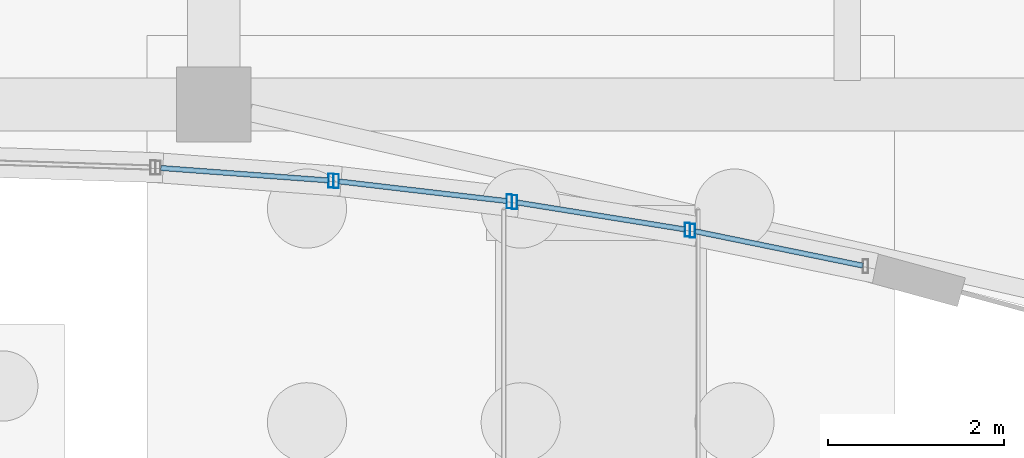
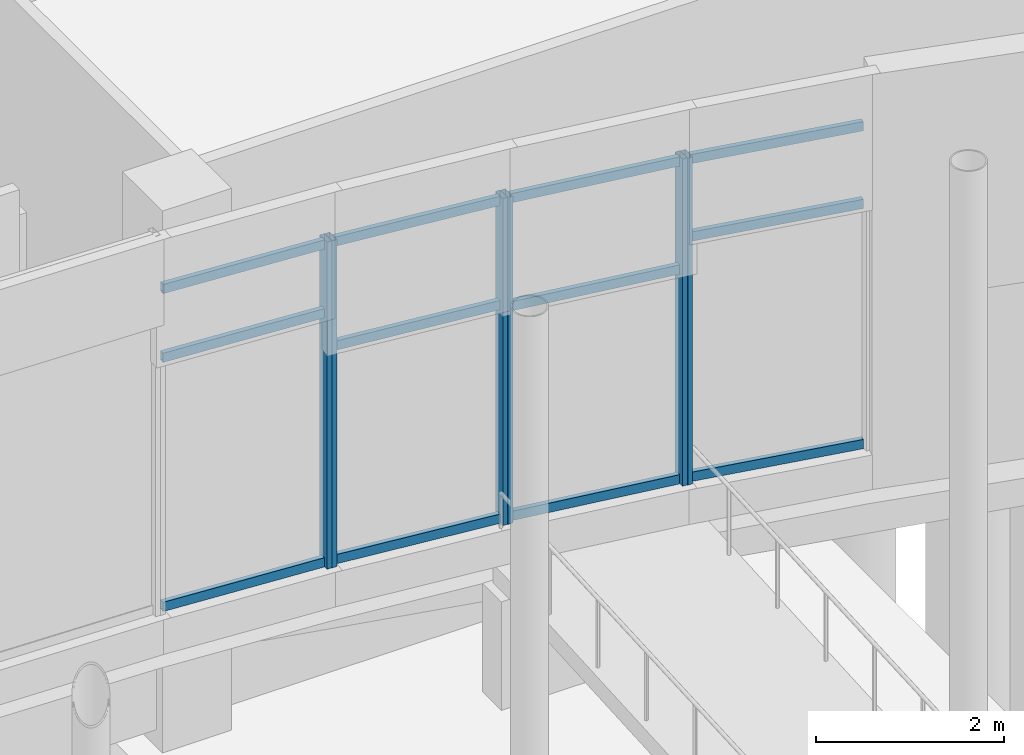
# One storey, part 51 of 192: 18 members, 4 elements without a shape of their own.
"""IFC4 building model written with IfcOpenShell, lengths in metres."""

from ifc_helpers import new_model, si_unit, direction, frame, origin, origin_2d, place, context, subcontext, project, spatial, hollow_rectangle, extrude, material, material_profile, profile_set, type_object, element, aggregate, save


model = new_model("IFC4")

# Units and contexts
model_context = context("Model", 3, precision=1e-05, world=origin(), true_north=direction((0.0, 1.0)))
body_context = subcontext(model_context, "Body", "Model", "MODEL_VIEW")
ifc_project = project(units=[si_unit("LENGTHUNIT", "METRE"), si_unit("AREAUNIT", "SQUARE_METRE"), si_unit("VOLUMEUNIT", "CUBIC_METRE"), si_unit("PLANEANGLEUNIT", "RADIAN"), si_unit("MASSUNIT", "GRAM", prefix="KILO")], contexts=[model_context])

# Site, building, storey
site_placement = place(None, origin())
site = spatial("IfcSite", under=ifc_project, at=site_placement, CompositionType="ELEMENT")
building_placement = place(site_placement, origin())
building = spatial("IfcBuilding", under=site, at=building_placement, Name="Cendralis Lancet Convention Centre", CompositionType="ELEMENT")
storey_placement = place(building_placement, origin())
storey = spatial("IfcBuildingStorey", under=building, at=storey_placement, Name="L00", CompositionType="ELEMENT", Elevation=0.0)

# Curtain wall, member
ifc_material = material(Name="Anodised bronze architectural aluminium", Category="aluminium")
curtain_wall_type = type_object("IfcCurtainWallType", Name="ARC-CW-WF01", PredefinedType="USERDEFINED", material=ifc_material)
curtain_wall_1_placement = place(storey_placement, origin())
curtain_wall_1 = element("IfcCurtainWall", 1, at=curtain_wall_1_placement, inside=storey, type_object=curtain_wall_type, Name="L00 Curtain Wall CW-WF1 #046", ObjectType="CURTAIN WALL", PredefinedType="USERDEFINED")
ifc_material_profile_1 = material_profile(ifc_material, hollow_rectangle(XDim=0.06005859375, YDim=0.159912109375, WallThickness=0.00390625, at=origin_2d()), Name="AL-MULL 60x160x4.0")
ifc_profile_set_1 = profile_set([ifc_material_profile_1], Name="Anodised bronze architectural aluminium")
member_type_1 = type_object("IfcMemberType", Name="ARC-CW-ML01", PredefinedType="MULLION", material=ifc_profile_set_1)
member_1_placement = place(storey_placement, frame((109.33203125, 13.53515625, 0.449951171875), z_axis=(0.0, 0.0, 1.0), x_axis=(1.0, 0.0, 0.0)))
member_1 = element("IfcMember", 2, at=member_1_placement, type_object=member_type_1, Name="Mullion CW2-CW-WF1-L00-046-M1", PredefinedType="MULLION", context=body_context, shape_type="SweptSolid", body=[
    extrude(hollow_rectangle(XDim=0.06005859375, YDim=0.159912109375, WallThickness=0.00390625, at=origin_2d()), origin(), (0.0, 0.0, 1.0), 4.255126953125),
])

# Curtain wall, members
curtain_wall_2_placement = place(storey_placement, origin())
curtain_wall_2 = element("IfcCurtainWall", 3, at=curtain_wall_2_placement, inside=storey, type_object=curtain_wall_type, Name="L00 Curtain Wall CW-WF1 #047", ObjectType="CURTAIN WALL", PredefinedType="USERDEFINED")
member_2_placement = place(storey_placement, frame((109.391845703125, 13.529541015625, 0.449951171875), z_axis=(0.0, 0.0, 1.0), x_axis=(1.0, 0.0, 0.0)))
member_2 = element("IfcMember", 4, at=member_2_placement, type_object=member_type_1, Name="Mullion CW2-CW-WF1-L00-047-M0", PredefinedType="MULLION", context=body_context, shape_type="SweptSolid", body=[
    extrude(hollow_rectangle(XDim=0.06005859375, YDim=0.159912109375, WallThickness=0.00390625, at=origin_2d()), origin(), (0.0, 0.0, 1.0), 4.255126953125),
])
member_3_placement = place(storey_placement, frame((111.358154296875, 13.299560546875, 0.449951171875), z_axis=(0.0, 0.0, 1.0), x_axis=(1.0, 0.0, 0.0)))
member_3 = element("IfcMember", 5, at=member_3_placement, type_object=member_type_1, Name="Mullion CW2-CW-WF1-L00-047-M1", PredefinedType="MULLION", context=body_context, shape_type="SweptSolid", body=[
    extrude(hollow_rectangle(XDim=0.06005859375, YDim=0.159912109375, WallThickness=0.00390625, at=origin_2d()), origin(), (0.0, 0.0, 1.0), 4.255126953125),
])

curtain_wall_3_placement = place(storey_placement, origin())
curtain_wall_3 = element("IfcCurtainWall", 6, at=curtain_wall_3_placement, inside=storey, type_object=curtain_wall_type, Name="L00 Curtain Wall CW-WF1 #048", ObjectType="CURTAIN WALL", PredefinedType="USERDEFINED")
member_4_placement = place(storey_placement, frame((111.41748046875, 13.291259765625, 0.449951171875), z_axis=(0.0, 0.0, 1.0), x_axis=(1.0, 0.0, 0.0)))
member_4 = element("IfcMember", 7, at=member_4_placement, type_object=member_type_1, Name="Mullion CW2-CW-WF1-L00-048-M0", PredefinedType="MULLION", context=body_context, shape_type="SweptSolid", body=[
    extrude(hollow_rectangle(XDim=0.06005859375, YDim=0.159912109375, WallThickness=0.00390625, at=origin_2d()), origin(), (0.0, 0.0, 1.0), 4.255126953125),
])
member_5_placement = place(storey_placement, frame((113.38330078125, 12.975830078125, 0.449951171875), z_axis=(0.0, 0.0, 1.0), x_axis=(1.0, 0.0, 0.0)))
member_5 = element("IfcMember", 8, at=member_5_placement, type_object=member_type_1, Name="Mullion CW2-CW-WF1-L00-048-M1", PredefinedType="MULLION", context=body_context, shape_type="SweptSolid", body=[
    extrude(hollow_rectangle(XDim=0.06005859375, YDim=0.159912109375, WallThickness=0.00390625, at=origin_2d()), origin(), (0.0, 0.0, 1.0), 4.255126953125),
])

# Curtain wall, member
curtain_wall_4_placement = place(storey_placement, origin())
curtain_wall_4 = element("IfcCurtainWall", 9, at=curtain_wall_4_placement, inside=storey, type_object=curtain_wall_type, Name="L00 Curtain Wall CW-WF1 #049", ObjectType="CURTAIN WALL", PredefinedType="USERDEFINED")
member_6_placement = place(storey_placement, frame((113.4423828125, 12.965087890625, 0.449951171875), z_axis=(0.0, 0.0, 1.0), x_axis=(1.0, 0.0, 0.0)))
member_6 = element("IfcMember", 10, at=member_6_placement, type_object=member_type_1, Name="Mullion CW2-CW-WF1-L00-049-M0", PredefinedType="MULLION", context=body_context, shape_type="SweptSolid", body=[
    extrude(hollow_rectangle(XDim=0.06005859375, YDim=0.159912109375, WallThickness=0.00390625, at=origin_2d()), origin(), (0.0, 0.0, 1.0), 4.255126953125),
])

# Member
ifc_material_profile_2 = material_profile(ifc_material, hollow_rectangle(XDim=0.06005859375, YDim=0.1201171875, WallThickness=0.00390625, at=origin_2d()), Name="AL-TRAN 60x120x4.0")
ifc_profile_set_2 = profile_set([ifc_material_profile_2], Name="Anodised bronze architectural aluminium")
member_type_2 = type_object("IfcMemberType", Name="ARC-CW-TR01", PredefinedType="USERDEFINED", material=ifc_profile_set_2)
member_7_placement = place(storey_placement, frame((107.396728515625, 13.6787109375, 0.510009765625), z_axis=(0.997259730154, -0.073979933858, 0.0), x_axis=(0.073979933858, 0.997259730154, 0.0)))
member_7 = element("IfcMember", 11, at=member_7_placement, type_object=member_type_2, Name="Transom CW2-CW-WF1-L00-046-T0BOT", ObjectType="TRANSOM", PredefinedType="USERDEFINED", context=body_context, shape_type="SweptSolid", body=[
    extrude(hollow_rectangle(XDim=0.06005859375, YDim=0.1201171875, WallThickness=0.00390625, at=origin_2d()), origin(), (0.0, 0.0, 1.0), 1.91064453125),
])

member_8_placement = place(storey_placement, frame((107.396728515625, 13.6787109375, 3.7509765625), z_axis=(0.997259730154, -0.073979933858, 0.0), x_axis=(0.073979933858, 0.997259730154, 0.0)))
member_8 = element("IfcMember", 12, at=member_8_placement, type_object=member_type_2, Name="Transom CW2-CW-WF1-L00-046-T0MID", ObjectType="TRANSOM", PredefinedType="USERDEFINED", context=body_context, shape_type="SweptSolid", body=[
    extrude(hollow_rectangle(XDim=0.06005859375, YDim=0.1201171875, WallThickness=0.00390625, at=origin_2d()), origin(), (0.0, 0.0, 1.0), 1.91064453125),
])

member_9_placement = place(storey_placement, frame((107.396728515625, 13.6787109375, 4.64501953125), z_axis=(0.997259730154, -0.073979933858, 0.0), x_axis=(0.073979933858, 0.997259730154, 0.0)))
member_9 = element("IfcMember", 13, at=member_9_placement, type_object=member_type_2, Name="Transom CW2-CW-WF1-L00-046-T0TOP", ObjectType="TRANSOM", PredefinedType="USERDEFINED", context=body_context, shape_type="SweptSolid", body=[
    extrude(hollow_rectangle(XDim=0.06005859375, YDim=0.1201171875, WallThickness=0.00390625, at=origin_2d()), origin(), (0.0, 0.0, 1.0), 1.91064453125),
])

aggregate(curtain_wall_1, [member_1, member_7, member_8, member_9])

member_10_placement = place(storey_placement, frame((109.421630859375, 13.52587890625, 0.510009765625), z_axis=(0.993236276414, -0.116110719637, 0.0), x_axis=(0.116110719637, 0.993236276414, 0.0)))
member_10 = element("IfcMember", 14, at=member_10_placement, type_object=member_type_2, Name="Transom CW2-CW-WF1-L00-047-T0BOT", ObjectType="TRANSOM", PredefinedType="USERDEFINED", context=body_context, shape_type="SweptSolid", body=[
    extrude(hollow_rectangle(XDim=0.06005859375, YDim=0.1201171875, WallThickness=0.00390625, at=origin_2d()), origin(), (0.0, 0.0, 1.0), 1.919677734375),
])

member_11_placement = place(storey_placement, frame((109.421630859375, 13.52587890625, 3.2900390625), z_axis=(0.993236276414, -0.116110719637, 0.0), x_axis=(0.116110719637, 0.993236276414, 0.0)))
member_11 = element("IfcMember", 15, at=member_11_placement, type_object=member_type_2, Name="Transom CW2-CW-WF1-L00-047-T0MID", ObjectType="TRANSOM", PredefinedType="USERDEFINED", context=body_context, shape_type="SweptSolid", body=[
    extrude(hollow_rectangle(XDim=0.06005859375, YDim=0.1201171875, WallThickness=0.00390625, at=origin_2d()), origin(), (0.0, 0.0, 1.0), 1.919677734375),
])

member_12_placement = place(storey_placement, frame((109.421630859375, 13.52587890625, 4.64501953125), z_axis=(0.993236276414, -0.116110719637, 0.0), x_axis=(0.116110719637, 0.993236276414, 0.0)))
member_12 = element("IfcMember", 16, at=member_12_placement, type_object=member_type_2, Name="Transom CW2-CW-WF1-L00-047-T0TOP", ObjectType="TRANSOM", PredefinedType="USERDEFINED", context=body_context, shape_type="SweptSolid", body=[
    extrude(hollow_rectangle(XDim=0.06005859375, YDim=0.1201171875, WallThickness=0.00390625, at=origin_2d()), origin(), (0.0, 0.0, 1.0), 1.919677734375),
])

aggregate(curtain_wall_2, [member_2, member_3, member_10, member_11, member_12])

member_13_placement = place(storey_placement, frame((111.447265625, 13.28662109375, 0.510009765625), z_axis=(0.987350525707, -0.158552639165, 0.0), x_axis=(0.158552639165, 0.987350525707, 0.0)))
member_13 = element("IfcMember", 17, at=member_13_placement, type_object=member_type_2, Name="Transom CW2-CW-WF1-L00-048-T0BOT", ObjectType="TRANSOM", PredefinedType="USERDEFINED", context=body_context, shape_type="SweptSolid", body=[
    extrude(hollow_rectangle(XDim=0.06005859375, YDim=0.1201171875, WallThickness=0.00390625, at=origin_2d()), origin(), (0.0, 0.0, 1.0), 1.930908203125),
])

member_14_placement = place(storey_placement, frame((111.447265625, 13.28662109375, 3.239013671875), z_axis=(0.987350525707, -0.158552639165, 0.0), x_axis=(0.158552639165, 0.987350525707, 0.0)))
member_14 = element("IfcMember", 18, at=member_14_placement, type_object=member_type_2, Name="Transom CW2-CW-WF1-L00-048-T0MID", ObjectType="TRANSOM", PredefinedType="USERDEFINED", context=body_context, shape_type="SweptSolid", body=[
    extrude(hollow_rectangle(XDim=0.06005859375, YDim=0.1201171875, WallThickness=0.00390625, at=origin_2d()), origin(), (0.0, 0.0, 1.0), 1.930908203125),
])

member_15_placement = place(storey_placement, frame((111.447265625, 13.28662109375, 4.64501953125), z_axis=(0.987350525707, -0.158552639165, 0.0), x_axis=(0.158552639165, 0.987350525707, 0.0)))
member_15 = element("IfcMember", 19, at=member_15_placement, type_object=member_type_2, Name="Transom CW2-CW-WF1-L00-048-T0TOP", ObjectType="TRANSOM", PredefinedType="USERDEFINED", context=body_context, shape_type="SweptSolid", body=[
    extrude(hollow_rectangle(XDim=0.06005859375, YDim=0.1201171875, WallThickness=0.00390625, at=origin_2d()), origin(), (0.0, 0.0, 1.0), 1.930908203125),
])

aggregate(curtain_wall_3, [member_4, member_5, member_13, member_14, member_15])

member_16_placement = place(storey_placement, frame((113.4716796875, 12.958984375, 0.510009765625), z_axis=(0.979643816342, -0.200743600405, 0.0), x_axis=(0.200743600405, 0.979643816342, 0.0)))
member_16 = element("IfcMember", 20, at=member_16_placement, type_object=member_type_2, Name="Transom CW2-CW-WF1-L00-049-T0BOT", ObjectType="TRANSOM", PredefinedType="USERDEFINED", context=body_context, shape_type="SweptSolid", body=[
    extrude(hollow_rectangle(XDim=0.06005859375, YDim=0.1201171875, WallThickness=0.00390625, at=origin_2d()), origin(), (0.0, 0.0, 1.0), 1.947021484375),
])

member_17_placement = place(storey_placement, frame((113.4716796875, 12.958984375, 3.635009765625), z_axis=(0.979643816342, -0.200743600405, 0.0), x_axis=(0.200743600405, 0.979643816342, 0.0)))
member_17 = element("IfcMember", 21, at=member_17_placement, type_object=member_type_2, Name="Transom CW2-CW-WF1-L00-049-T0MID", ObjectType="TRANSOM", PredefinedType="USERDEFINED", context=body_context, shape_type="SweptSolid", body=[
    extrude(hollow_rectangle(XDim=0.06005859375, YDim=0.1201171875, WallThickness=0.00390625, at=origin_2d()), origin(), (0.0, 0.0, 1.0), 1.947021484375),
])

member_18_placement = place(storey_placement, frame((113.4716796875, 12.958984375, 4.64501953125), z_axis=(0.979643816342, -0.200743600405, 0.0), x_axis=(0.200743600405, 0.979643816342, 0.0)))
member_18 = element("IfcMember", 22, at=member_18_placement, type_object=member_type_2, Name="Transom CW2-CW-WF1-L00-049-T0TOP", ObjectType="TRANSOM", PredefinedType="USERDEFINED", context=body_context, shape_type="SweptSolid", body=[
    extrude(hollow_rectangle(XDim=0.06005859375, YDim=0.1201171875, WallThickness=0.00390625, at=origin_2d()), origin(), (0.0, 0.0, 1.0), 1.947021484375),
])

aggregate(curtain_wall_4, [member_6, member_16, member_17, member_18])

save(model, "model.ifc")
